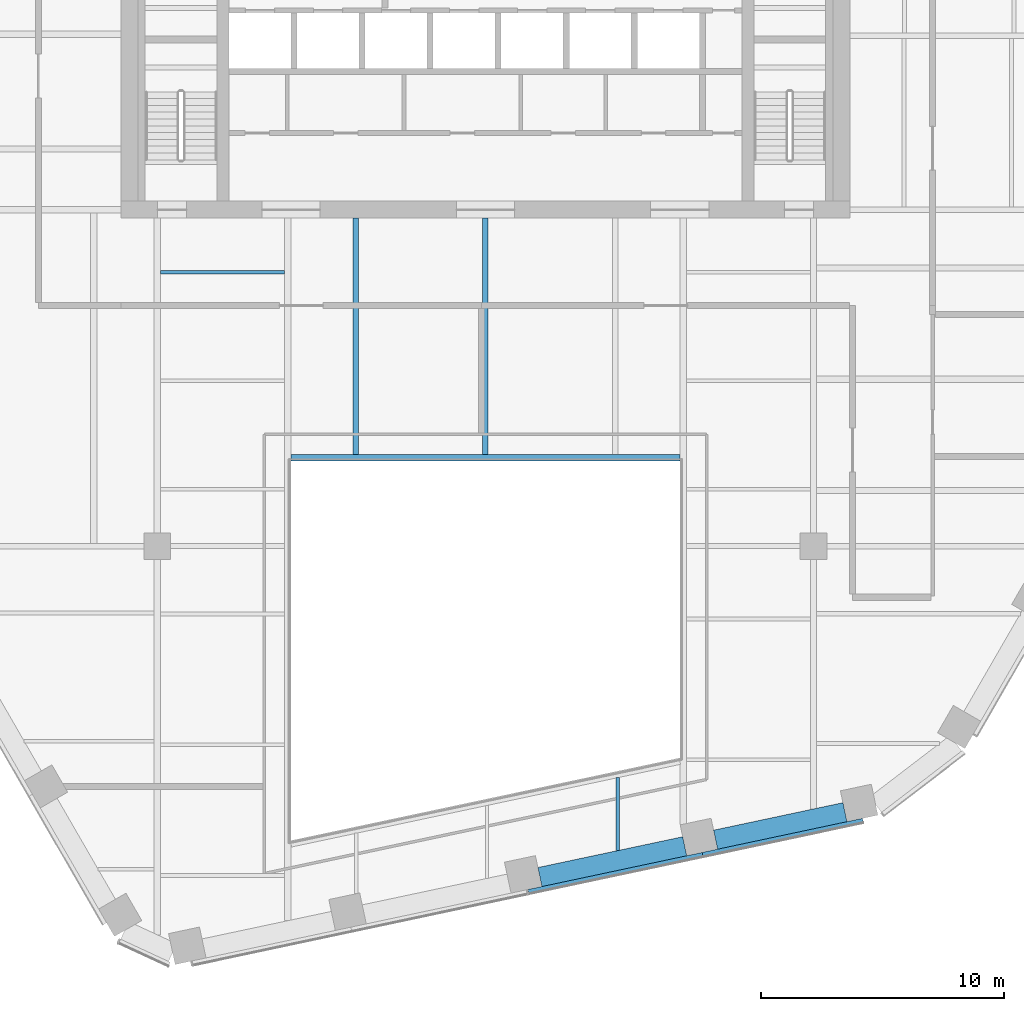
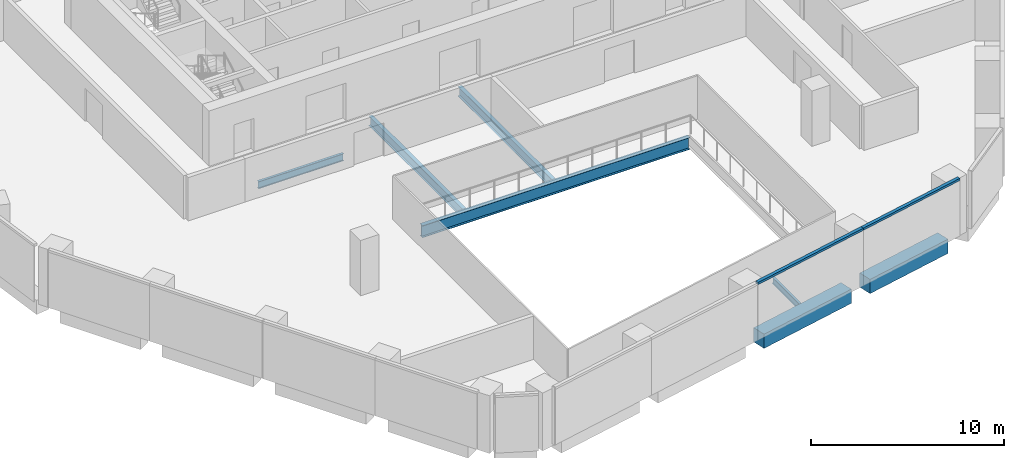
# One storey, part 4 of 16: 7 beams, 2 members, 1 element without a shape of its own.
"""IFC4 building model written with IfcOpenShell, lengths in metres."""

from ifc_helpers import new_model, si_unit, direction, frame, origin, origin_2d, place, context, subcontext, project, spatial, rectangle, i_section, extrude, material, layer, layer_set, material_profile, profile_set, type_object, element, aggregate, save


model = new_model("IFC4")

# Units and contexts
model_context = context("Model", 3, precision=1e-05, world=origin(), true_north=direction((0.0, 1.0)))
body_context = subcontext(model_context, "Body", "Model", "MODEL_VIEW")
ifc_project = project(units=[si_unit("LENGTHUNIT", "METRE"), si_unit("AREAUNIT", "SQUARE_METRE"), si_unit("VOLUMEUNIT", "CUBIC_METRE"), si_unit("PLANEANGLEUNIT", "RADIAN"), si_unit("MASSUNIT", "GRAM", prefix="KILO")], contexts=[model_context])

# Site, building, storey
site_placement = place(None, origin())
site = spatial("IfcSite", under=ifc_project, at=site_placement, CompositionType="ELEMENT")
building_placement = place(site_placement, origin())
building = spatial("IfcBuilding", under=site, at=building_placement, Name="Isthmus Gate Tower", CompositionType="ELEMENT")
storey_placement = place(building_placement, frame((0.0, 0.0, 196.35009765625)))
storey = spatial("IfcBuildingStorey", under=building, at=storey_placement, Name="L49", CompositionType="ELEMENT", Elevation=196.35009765625)

# Curtain wall, members
ifc_material_1 = material(Name="Aluminium, pale champagne anodised", Category="aluminium")
ifc_layer = layer(ifc_material_1, 0.199951171875)
ifc_layer_set = layer_set([ifc_layer], Name="CW-1 UNITISED CURTAIN WALL 200 DEEP")
curtain_wall_type = type_object("IfcCurtainWallType", Name="CW-1 UNITISED CURTAIN WALL 200 DEEP", PredefinedType="NOTDEFINED", material=ifc_layer_set)
curtain_wall_placement = place(storey_placement, origin())
curtain_wall = element("IfcCurtainWall", 1, at=curtain_wall_placement, inside=storey, type_object=curtain_wall_type, Name="CW-1 S L49", PredefinedType="NOTDEFINED")
ifc_material_2 = material(Name="Aluminium, pale champagne anodised", Category="aluminium")
ifc_material_profile_1 = material_profile(ifc_material_2, rectangle(XDim=0.199951171875, YDim=0.139892578125, at=origin_2d()), Name="200x140")
ifc_profile_set_1 = profile_set([ifc_material_profile_1], Name="Aluminium, pale champagne anodised")
member_type = type_object("IfcMemberType", Name="CW-1 TRANSOM 200 X 140", PredefinedType="USERDEFINED", material=ifc_profile_set_1)
member_1_placement = place(storey_placement, frame((1.76953125, -27.72607421875, 3.579833984375), z_axis=(0.978146152746, 0.207918502948, 0.0), x_axis=(-0.207918502948, 0.978146152746, 0.0)))
member_1 = element("IfcMember", 2, at=member_1_placement, type_object=member_type, Name="CW-1 transom", ObjectType="TRANSOM", PredefinedType="USERDEFINED", context=body_context, shape_type="SweptSolid", body=[
    extrude(rectangle(XDim=0.199951171875, YDim=0.139892578125, at=origin_2d()), origin(), (0.0, 0.0, 1.0), 7.33056640625),
])
member_2_placement = place(storey_placement, frame((8.93994140625, -26.201904296875, 3.579833984375), z_axis=(0.978151394347, 0.207893842469, 0.0), x_axis=(-0.207893842469, 0.978151394347, 0.0)))
member_2 = element("IfcMember", 3, at=member_2_placement, type_object=member_type, Name="CW-1 transom", ObjectType="TRANSOM", PredefinedType="USERDEFINED", context=body_context, shape_type="SweptSolid", body=[
    extrude(rectangle(XDim=0.199951171875, YDim=0.139892578125, at=origin_2d()), origin(), (0.0, 0.0, 1.0), 6.74072265625),
])
aggregate(curtain_wall, [member_1, member_2])

# Beams
ifc_material_3 = material(Name="Concrete f'c 60 MPa", Category="concrete")
ifc_material_profile_2 = material_profile(ifc_material_3, rectangle(XDim=0.800048828125, YDim=0.89990234375, at=origin_2d()), Name="RC 800X900")
ifc_profile_set_2 = profile_set([ifc_material_profile_2], Name="Concrete f'c 60 MPa")
beam_type_1 = type_object("IfcBeamType", Name="RC SPANDREL 800 X 900", PredefinedType="SPANDREL", material=ifc_profile_set_2)
beam_1_placement = place(storey_placement, frame((14.793701171875, -24.446533203125, -0.4501953125), z_axis=(-0.978150410773, -0.207898470186, 0.0), x_axis=(0.207898470186, -0.978150410773, 0.0)))
element("IfcBeam", 4, at=beam_1_placement, inside=storey, type_object=beam_type_1, Name="str-spandrel-L49-11", PredefinedType="SPANDREL", context=body_context, shape_type="SweptSolid", body=[
    extrude(rectangle(XDim=0.800048828125, YDim=0.89990234375, at=origin_2d()), origin(), (0.0, 0.0, 1.0), 5.440673828125),
])
beam_2_placement = place(storey_placement, frame((8.2001953125, -25.84814453125, -0.4501953125), z_axis=(-0.978146012851, -0.207919161079, 0.0), x_axis=(0.207919161079, -0.978146012851, 0.0)))
element("IfcBeam", 5, at=beam_2_placement, inside=storey, type_object=beam_type_1, Name="str-spandrel-L49-12", PredefinedType="SPANDREL", context=body_context, shape_type="SweptSolid", body=[
    extrude(rectangle(XDim=0.800048828125, YDim=0.89990234375, at=origin_2d()), origin(), (0.0, 0.0, 1.0), 6.090576171875),
])
ifc_material_4 = material(Name="Structural steel ASTM A992 Gr 50", Category="steel")
ifc_material_profile_3 = material_profile(ifc_material_4, i_section(OverallWidth=0.1396484375, OverallDepth=0.4033203125, WebThickness=0.00634765625, FlangeThickness=0.010986328125, at=origin_2d()), Name="W16X31")
ifc_profile_set_3 = profile_set([ifc_material_profile_3], Name="Structural steel ASTM A992 Gr 50")
beam_type_2 = type_object("IfcBeamType", Name="STEEL FLOOR BEAM W16X31", PredefinedType="JOIST", material=ifc_profile_set_3)
beam_3_placement = place(storey_placement, frame((5.443115234375, -26.025146484375, -0.351806640625), z_axis=(0.0, 1.0, 0.0), x_axis=(-1.0, 0.0, 0.0)))
element("IfcBeam", 6, at=beam_3_placement, inside=storey, type_object=beam_type_2, Name="str-beam-L49-07-02", PredefinedType="JOIST", context=body_context, shape_type="SweptSolid", body=[
    extrude(i_section(OverallWidth=0.1396484375, OverallDepth=0.4033203125, WebThickness=0.00634765625, FlangeThickness=0.010986328125, at=origin_2d()), origin(), (0.0, 0.0, 1.0), 2.998779296875),
])
ifc_material_5 = material(Name="Structural steel ASTM A992 Gr 50", Category="steel")
ifc_material_profile_4 = material_profile(ifc_material_5, i_section(OverallWidth=0.15234375, OverallDepth=0.45068359375, WebThickness=0.0078125, FlangeThickness=0.010986328125, at=origin_2d()), Name="W18X35")
ifc_profile_set_4 = profile_set([ifc_material_profile_4], Name="Structural steel ASTM A992 Gr 50")
beam_type_3 = type_object("IfcBeamType", Name="STEEL FLOOR BEAM W18X35", PredefinedType="JOIST", material=ifc_profile_set_4)
beam_4_placement = place(storey_placement, frame((-13.3681640625, -2.232421875, -0.37548828125), z_axis=(1.0, 0.0, 0.0), x_axis=(0.0, 1.0, 0.0)))
element("IfcBeam", 7, at=beam_4_placement, inside=storey, type_object=beam_type_3, Name="str-beam-L49-04-02", PredefinedType="JOIST", context=body_context, shape_type="SweptSolid", body=[
    extrude(i_section(OverallWidth=0.15234375, OverallDepth=0.45068359375, WebThickness=0.0078125, FlangeThickness=0.010986328125, at=origin_2d()), origin(), (0.0, 0.0, 1.0), 5.1015625),
])
ifc_material_6 = material(Name="Structural steel ASTM A992 Gr 50", Category="steel")
ifc_material_profile_5 = material_profile(ifc_material_6, i_section(OverallWidth=0.228515625, OverallDepth=0.603271484375, WebThickness=0.010986328125, FlangeThickness=0.014404296875, at=origin_2d()), Name="W24X68")
ifc_profile_set_5 = profile_set([ifc_material_profile_5], Name="Structural steel ASTM A992 Gr 50")
beam_type_4 = type_object("IfcBeamType", Name="STEEL FLOOR BEAM W24X68", PredefinedType="JOIST", material=ifc_profile_set_5)
for number, where, z_axis, x_axis, name in (
    (8, (-5.333251953125, -9.7333984375, -0.45166015625), (0.0, 1.0, 0.0), (-1.0, 0.0, 0.0), "str-beam-L49-06-00"),
    (9, (0.0, -9.7333984375, -0.45166015625), (0.0, 1.0, 0.0), (-1.0, 0.0, 0.0), "str-beam-L49-06-01"),
):
    element("IfcBeam", number, at=place(storey_placement, frame(where, z_axis=z_axis, x_axis=x_axis)), inside=storey, type_object=beam_type_4, Name=name, PredefinedType="JOIST", context=body_context, shape_type="SweptSolid", body=[
        extrude(i_section(OverallWidth=0.228515625, OverallDepth=0.603271484375, WebThickness=0.010986328125, FlangeThickness=0.014404296875, at=origin_2d()), origin(), (0.0, 0.0, 1.0), 9.7333984375),
    ])
ifc_material_7 = material(Name="Structural steel ASTM A992 Gr 50", Category="steel")
ifc_material_profile_6 = material_profile(ifc_material_7, i_section(OverallWidth=0.2666015625, OverallDepth=0.7587890625, WebThickness=0.014404296875, FlangeThickness=0.01904296875, at=origin_2d()), Name="W30X108")
ifc_profile_set_6 = profile_set([ifc_material_profile_6], Name="Structural steel ASTM A992 Gr 50")
beam_type_5 = type_object("IfcBeamType", Name="STEEL TRIMMER W30X108", PredefinedType="BEAM", material=ifc_profile_set_6)
beam_5_placement = place(storey_placement, frame((8.0, -9.86669921875, -0.529541015625), z_axis=(-1.0, 0.0, 0.0), x_axis=(0.0, -1.0, 0.0)))
element("IfcBeam", 10, at=beam_5_placement, inside=storey, type_object=beam_type_5, Name="str-trimmer-L49-04", PredefinedType="BEAM", context=body_context, shape_type="SweptSolid", body=[
    extrude(i_section(OverallWidth=0.2666015625, OverallDepth=0.7587890625, WebThickness=0.014404296875, FlangeThickness=0.01904296875, at=origin_2d()), origin(), (0.0, 0.0, 1.0), 16.0),
])

save(model, "model.ifc")
